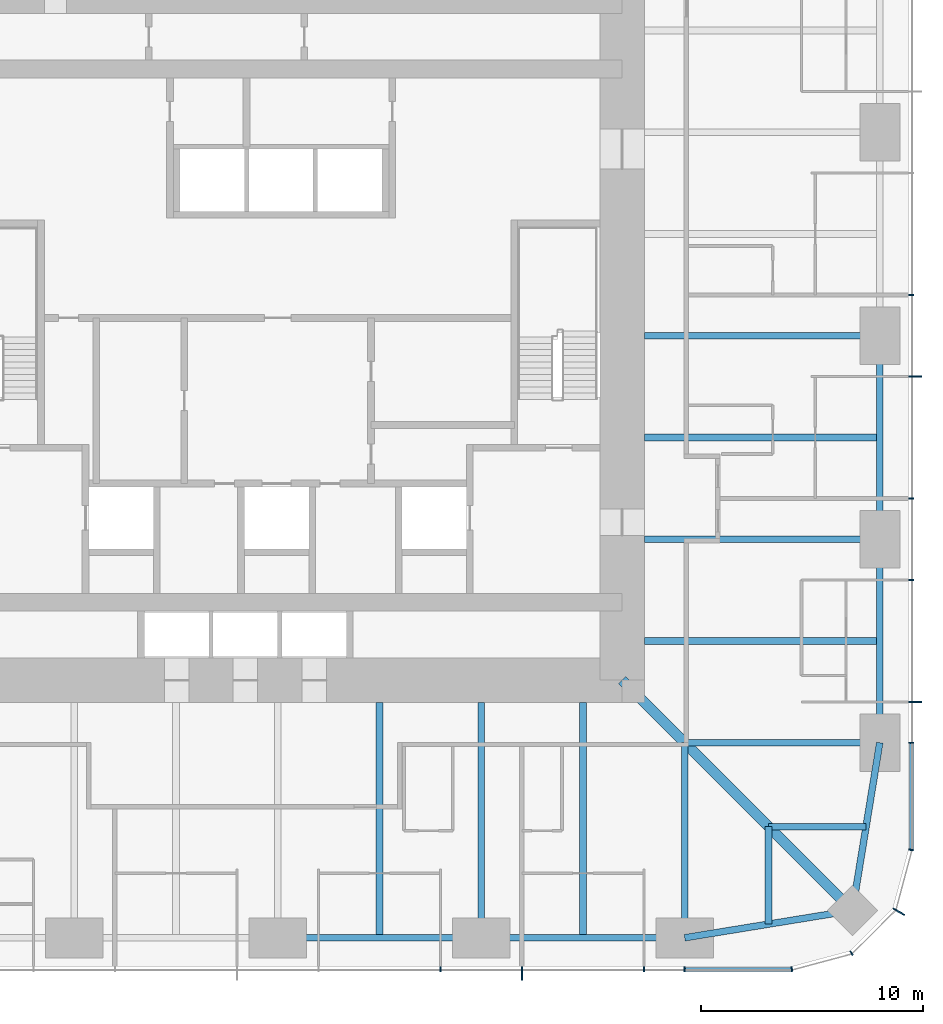
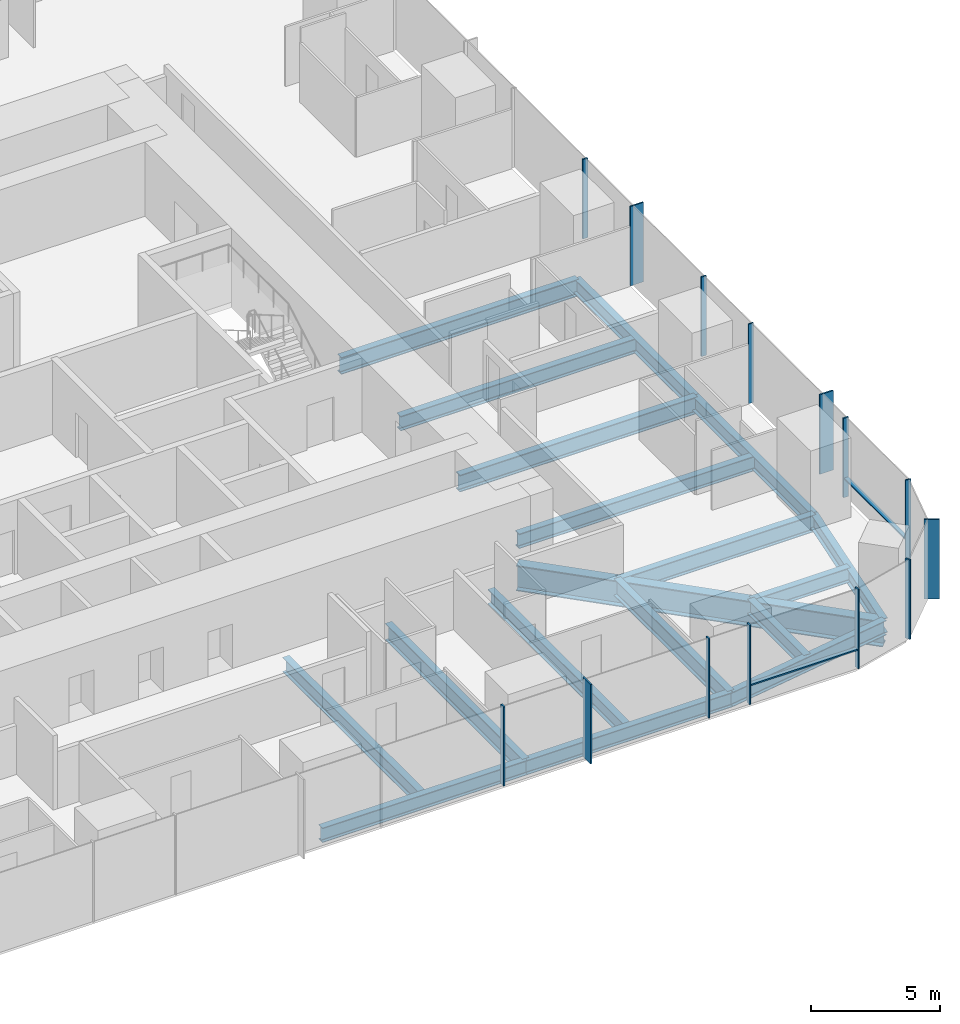
# One storey, part 4 of 13: 18 beams, 16 members, 3 elements without a shape of their own.
"""IFC4 building model written with IfcOpenShell, lengths in metres."""

from ifc_helpers import new_model, si_unit, direction, frame, origin, origin_2d, place, context, subcontext, project, spatial, rectangle, i_section, extrude, material, material_profile, profile_set, type_object, element, aggregate, save


model = new_model("IFC4")

# Units and contexts
model_context = context("Model", 3, precision=1e-05, world=origin(), true_north=direction((0.0, 1.0)))
body_context = subcontext(model_context, "Body", "Model", "MODEL_VIEW")
ifc_project = project(units=[si_unit("LENGTHUNIT", "METRE"), si_unit("AREAUNIT", "SQUARE_METRE"), si_unit("VOLUMEUNIT", "CUBIC_METRE"), si_unit("PLANEANGLEUNIT", "RADIAN"), si_unit("MASSUNIT", "GRAM", prefix="KILO")], contexts=[model_context])

# Site, building, storey
site_placement = place(None, origin())
site = spatial("IfcSite", under=ifc_project, at=site_placement, CompositionType="ELEMENT")
building_placement = place(site_placement, origin())
building = spatial("IfcBuilding", under=site, at=building_placement, Name="Khuree Lantern Residences", CompositionType="ELEMENT")
storey_placement = place(building_placement, frame((0.0, 0.0, 159.75)))
storey = spatial("IfcBuildingStorey", under=building, at=storey_placement, Name="L40", CompositionType="ELEMENT", Elevation=159.75)

# Beams
ifc_material_1 = material(Name="Steel S355", Category="steel")
ifc_material_profile_1 = material_profile(ifc_material_1, i_section(OverallWidth=0.300048828125, OverallDepth=0.68994140625, WebThickness=0.014404296875, FlangeThickness=0.027099609375, FilletRadius=0.027099609375, at=origin_2d()), Name="HE 700 A")
ifc_profile_set_1 = profile_set([ifc_material_profile_1], Name="Steel S355")
beam_type_1 = type_object("IfcBeamType", Name="B-24 SECONDARY BEAM HE 700 A", PredefinedType="BEAM", material=ifc_profile_set_1)
for number, where, z_axis, x_axis, name in (
    (1, (27.10009765625, -4.580078125, -0.594970703125), (-1.0, 0.0, 0.0), (0.0, -1.0, 0.0), "Secondary beam E4"),
    (2, (27.10009765625, -13.739990234375, -0.594970703125), (-1.0, 0.0, 0.0), (0.0, -1.0, 0.0), "Secondary beam E5"),
):
    element("IfcBeam", number, at=place(storey_placement, frame(where, z_axis=z_axis, x_axis=x_axis)), inside=storey, type_object=beam_type_1, Name=name, PredefinedType="BEAM", context=body_context, shape_type="SweptSolid", body=[
        extrude(i_section(OverallWidth=0.300048828125, OverallDepth=0.68994140625, WebThickness=0.014404296875, FlangeThickness=0.027099609375, FilletRadius=0.027099609375, at=origin_2d()), origin(), (0.0, 0.0, 1.0), 10.60009765625),
    ])
for number, where, z_axis, x_axis, name in (
    (3, (26.48486328125, -22.094970703125, -0.594970703125), (-1.0, 0.0, 0.0), (0.0, -1.0, 0.0), "Secondary beam E6"),
    (4, (22.094970703125, -26.48486328125, -0.594970703125), (0.0, 1.0, 0.0), (-1.0, 0.0, 0.0), "Secondary beam S1"),
):
    element("IfcBeam", number, at=place(storey_placement, frame(where, z_axis=z_axis, x_axis=x_axis)), inside=storey, type_object=beam_type_1, Name=name, PredefinedType="BEAM", context=body_context, shape_type="SweptSolid", body=[
        extrude(i_section(OverallWidth=0.300048828125, OverallDepth=0.68994140625, WebThickness=0.014404296875, FlangeThickness=0.027099609375, FilletRadius=0.027099609375, at=origin_2d()), origin(), (0.0, 0.0, 1.0), 4.389892578125),
    ])
for number, where, z_axis, x_axis, name in (
    (5, (13.739990234375, -27.10009765625, -0.594970703125), (0.0, 1.0, 0.0), (-1.0, 0.0, 0.0), "Secondary beam S2"),
    (6, (4.580078125, -27.10009765625, -0.594970703125), (0.0, 1.0, 0.0), (-1.0, 0.0, 0.0), "Secondary beam S3"),
):
    element("IfcBeam", number, at=place(storey_placement, frame(where, z_axis=z_axis, x_axis=x_axis)), inside=storey, type_object=beam_type_1, Name=name, PredefinedType="BEAM", context=body_context, shape_type="SweptSolid", body=[
        extrude(i_section(OverallWidth=0.300048828125, OverallDepth=0.68994140625, WebThickness=0.014404296875, FlangeThickness=0.027099609375, FilletRadius=0.027099609375, at=origin_2d()), origin(), (0.0, 0.0, 1.0), 10.60009765625),
    ])
ifc_material_profile_2 = material_profile(ifc_material_1, i_section(OverallWidth=0.300048828125, OverallDepth=0.68994140625, WebThickness=0.014404296875, FlangeThickness=0.027099609375, FilletRadius=0.027099609375, at=origin_2d()), Name="HE 700 A")
ifc_profile_set_2 = profile_set([ifc_material_profile_2], Name="Steel S355")
beam_type_2 = type_object("IfcBeamType", Name="E-24 SPANDREL BEAM HE 700 A", PredefinedType="SPANDREL", material=ifc_profile_set_2)
beam_1_placement = place(storey_placement, frame((27.10009765625, 0.0, -0.594970703125), z_axis=(0.0, -1.0, 0.0), x_axis=(1.0, 0.0, 0.0)))
element("IfcBeam", 7, at=beam_1_placement, inside=storey, type_object=beam_type_2, Name="Spandrel beam E4", PredefinedType="SPANDREL", context=body_context, shape_type="SweptSolid", body=[
    extrude(i_section(OverallWidth=0.300048828125, OverallDepth=0.68994140625, WebThickness=0.014404296875, FlangeThickness=0.027099609375, FilletRadius=0.027099609375, at=origin_2d()), origin(), (0.0, 0.0, 1.0), 9.159912109375),
])
beam_2_placement = place(storey_placement, frame((27.10009765625, -9.159912109375, -0.594970703125), z_axis=(0.0, -1.0, 0.0), x_axis=(1.0, 0.0, 0.0)))
element("IfcBeam", 8, at=beam_2_placement, inside=storey, type_object=beam_type_2, Name="Spandrel beam E5", PredefinedType="SPANDREL", context=body_context, shape_type="SweptSolid", body=[
    extrude(i_section(OverallWidth=0.300048828125, OverallDepth=0.68994140625, WebThickness=0.014404296875, FlangeThickness=0.027099609375, FilletRadius=0.027099609375, at=origin_2d()), origin(), (0.0, 0.0, 1.0), 9.16015625),
])
for number, where, z_axis, x_axis, name in (
    (9, (27.10009765625, -18.320068359375, -0.594970703125), (-0.160826723833, -0.986982656839, 0.0), (0.986982656839, -0.160826723833, 0.0), "Spandrel beam E6"),
    (10, (25.869873046875, -25.869873046875, -0.594970703125), (-0.986982656839, -0.160826723833, 0.0), (0.160826723833, -0.986982656839, 0.0), "Spandrel beam S1"),
):
    element("IfcBeam", number, at=place(storey_placement, frame(where, z_axis=z_axis, x_axis=x_axis)), inside=storey, type_object=beam_type_2, Name=name, PredefinedType="SPANDREL", context=body_context, shape_type="SweptSolid", body=[
        extrude(i_section(OverallWidth=0.300048828125, OverallDepth=0.68994140625, WebThickness=0.014404296875, FlangeThickness=0.027099609375, FilletRadius=0.027099609375, at=origin_2d()), origin(), (0.0, 0.0, 1.0), 7.6494140625),
    ])
beam_3_placement = place(storey_placement, frame((18.320068359375, -27.10009765625, -0.594970703125), z_axis=(-1.0, 0.0, 0.0), x_axis=(0.0, -1.0, 0.0)))
element("IfcBeam", 11, at=beam_3_placement, inside=storey, type_object=beam_type_2, Name="Spandrel beam S2", PredefinedType="SPANDREL", context=body_context, shape_type="SweptSolid", body=[
    extrude(i_section(OverallWidth=0.300048828125, OverallDepth=0.68994140625, WebThickness=0.014404296875, FlangeThickness=0.027099609375, FilletRadius=0.027099609375, at=origin_2d()), origin(), (0.0, 0.0, 1.0), 9.16015625),
])
beam_4_placement = place(storey_placement, frame((9.159912109375, -27.10009765625, -0.594970703125), z_axis=(-1.0, 0.0, 0.0), x_axis=(0.0, -1.0, 0.0)))
element("IfcBeam", 12, at=beam_4_placement, inside=storey, type_object=beam_type_2, Name="Spandrel beam S3", PredefinedType="SPANDREL", context=body_context, shape_type="SweptSolid", body=[
    extrude(i_section(OverallWidth=0.300048828125, OverallDepth=0.68994140625, WebThickness=0.014404296875, FlangeThickness=0.027099609375, FilletRadius=0.027099609375, at=origin_2d()), origin(), (0.0, 0.0, 1.0), 9.159912109375),
])

# Curtain wall, member
ifc_material_2 = material(Name="Bronze anodised aluminium", Category="aluminium")
curtain_wall_type_1 = type_object("IfcCurtainWallType", Name="CW-T2 TOWER CORNER CURTAIN WALL", PredefinedType="USERDEFINED", material=ifc_material_2)
curtain_wall_1_placement = place(storey_placement, origin())
curtain_wall_1 = element("IfcCurtainWall", 13, at=curtain_wall_1_placement, inside=storey, type_object=curtain_wall_type_1, Name="L40 SOUTH-EAST CORNER CURTAIN WALL", ObjectType="Faceted corner curtain wall", PredefinedType="USERDEFINED")
ifc_material_profile_3 = material_profile(ifc_material_2, rectangle(XDim=0.06494140625, YDim=0.60009765625, at=origin_2d()), Name="F1 65X600")
ifc_profile_set_3 = profile_set([ifc_material_profile_3], Name="Bronze anodised aluminium")
member_type_1 = type_object("IfcMemberType", Name="F1 BRONZE FIN MULLION TOWER 65X600", PredefinedType="MULLION", material=ifc_profile_set_3)
member_1_placement = place(storey_placement, frame((27.95654296875, -25.925048828125, 0.0), z_axis=(0.0, 0.0, 1.0), x_axis=(0.500000026995, 0.866025388199, 0.0)))
member_1 = element("IfcMember", 14, at=member_1_placement, type_object=member_type_1, Name="L40 SOUTH-EAST CORNER FIN MULLION 3", PredefinedType="MULLION", context=body_context, shape_type="SweptSolid", body=[
    extrude(rectangle(XDim=0.06494140625, YDim=0.60009765625, at=origin_2d()), origin(), (0.0, 0.0, 1.0), 3.75),
])

# Curtain wall, members
curtain_wall_type_2 = type_object("IfcCurtainWallType", Name="CW-T1 TOWER FACE CURTAIN WALL", PredefinedType="USERDEFINED", material=ifc_material_2)
curtain_wall_2_placement = place(storey_placement, origin())
curtain_wall_2 = element("IfcCurtainWall", 15, at=curtain_wall_2_placement, inside=storey, type_object=curtain_wall_type_2, Name="L40 EAST FACE CURTAIN WALL", ObjectType="Stick-built curtain wall", PredefinedType="USERDEFINED")
member_2_placement = place(storey_placement, frame((28.699951171875, -16.488037109375, 0.0), z_axis=(0.0, 0.0, 1.0), x_axis=(0.0, 1.0, 0.0)))
member_2 = element("IfcMember", 16, at=member_2_placement, type_object=member_type_1, Name="L40 EAST FACE FIN MULLION 6", PredefinedType="MULLION", context=body_context, shape_type="SweptSolid", body=[
    extrude(rectangle(XDim=0.06494140625, YDim=0.60009765625, at=origin_2d()), origin(), (0.0, 0.0, 1.0), 3.75),
])
member_3_placement = place(storey_placement, frame((28.699951171875, -1.83203125, 0.0), z_axis=(0.0, 0.0, 1.0), x_axis=(0.0, 1.0, 0.0)))
member_3 = element("IfcMember", 17, at=member_3_placement, type_object=member_type_1, Name="L40 EAST FACE FIN MULLION 9", PredefinedType="MULLION", context=body_context, shape_type="SweptSolid", body=[
    extrude(rectangle(XDim=0.06494140625, YDim=0.60009765625, at=origin_2d()), origin(), (0.0, 0.0, 1.0), 3.75),
])

# Curtain wall, member
curtain_wall_3_placement = place(storey_placement, origin())
curtain_wall_3 = element("IfcCurtainWall", 18, at=curtain_wall_3_placement, inside=storey, type_object=curtain_wall_type_2, Name="L40 SOUTH FACE CURTAIN WALL", ObjectType="Stick-built curtain wall", PredefinedType="USERDEFINED")
member_4_placement = place(storey_placement, frame((10.991943359375, -28.699951171875, 0.0), z_axis=(0.0, 0.0, 1.0), x_axis=(1.0, 0.0, 0.0)))
member_4 = element("IfcMember", 19, at=member_4_placement, type_object=member_type_1, Name="L40 SOUTH FACE FIN MULLION 54", PredefinedType="MULLION", context=body_context, shape_type="SweptSolid", body=[
    extrude(rectangle(XDim=0.06494140625, YDim=0.60009765625, at=origin_2d()), origin(), (0.0, 0.0, 1.0), 3.75),
])

# Beams
ifc_material_profile_4 = material_profile(ifc_material_1, i_section(OverallWidth=0.300048828125, OverallDepth=0.800048828125, WebThickness=0.017578125, FlangeThickness=0.032958984375, FilletRadius=0.030029296875, at=origin_2d()), Name="HE 800 B")
ifc_profile_set_4 = profile_set([ifc_material_profile_4], Name="Steel S355")
beam_type_3 = type_object("IfcBeamType", Name="G-24 GIRDER HE 800 B", PredefinedType="BEAM", material=ifc_profile_set_4)
for number, where, z_axis, x_axis, name in (
    (20, (27.10009765625, 0.0, -0.64990234375), (-1.0, 0.0, 0.0), (0.0, -1.0, 0.0), "Girder E3"),
    (21, (27.10009765625, -9.159912109375, -0.64990234375), (-1.0, 0.0, 0.0), (0.0, -1.0, 0.0), "Girder E4"),
):
    element("IfcBeam", number, at=place(storey_placement, frame(where, z_axis=z_axis, x_axis=x_axis)), inside=storey, type_object=beam_type_3, Name=name, PredefinedType="BEAM", context=body_context, shape_type="SweptSolid", body=[
        extrude(i_section(OverallWidth=0.300048828125, OverallDepth=0.800048828125, WebThickness=0.017578125, FlangeThickness=0.032958984375, FilletRadius=0.030029296875, at=origin_2d()), origin(), (0.0, 0.0, 1.0), 10.60009765625),
    ])
for number, where, z_axis, x_axis, name in (
    (22, (27.10009765625, -18.320068359375, -0.64990234375), (-1.0, 0.0, 0.0), (0.0, -1.0, 0.0), "Girder E5"),
    (23, (18.320068359375, -27.10009765625, -0.64990234375), (0.0, 1.0, 0.0), (-1.0, 0.0, 0.0), "Girder S1"),
):
    element("IfcBeam", number, at=place(storey_placement, frame(where, z_axis=z_axis, x_axis=x_axis)), inside=storey, type_object=beam_type_3, Name=name, PredefinedType="BEAM", context=body_context, shape_type="SweptSolid", body=[
        extrude(i_section(OverallWidth=0.300048828125, OverallDepth=0.800048828125, WebThickness=0.017578125, FlangeThickness=0.032958984375, FilletRadius=0.030029296875, at=origin_2d()), origin(), (0.0, 0.0, 1.0), 8.780029296875),
    ])
beam_5_placement = place(storey_placement, frame((9.159912109375, -27.10009765625, -0.64990234375), z_axis=(0.0, 1.0, 0.0), x_axis=(-1.0, 0.0, 0.0)))
element("IfcBeam", 24, at=beam_5_placement, inside=storey, type_object=beam_type_3, Name="Girder S2", PredefinedType="BEAM", context=body_context, shape_type="SweptSolid", body=[
    extrude(i_section(OverallWidth=0.300048828125, OverallDepth=0.800048828125, WebThickness=0.017578125, FlangeThickness=0.032958984375, FilletRadius=0.030029296875, at=origin_2d()), origin(), (0.0, 0.0, 1.0), 10.60009765625),
])
ifc_material_profile_5 = material_profile(ifc_material_1, i_section(OverallWidth=0.449951171875, OverallDepth=1.199951171875, WebThickness=0.02490234375, FlangeThickness=0.044921875, at=origin_2d()), Name="WELDED I 1200X450X25X45")
ifc_profile_set_5 = profile_set([ifc_material_profile_5], Name="Steel S355")
beam_type_4 = type_object("IfcBeamType", Name="GD-24 CORNER GIRDER WELDED I 1200X450X25X45", PredefinedType="BEAM", material=ifc_profile_set_5)
beam_6_placement = place(storey_placement, frame((25.869873046875, -25.869873046875, -0.85009765625), z_axis=(-0.707106781187, 0.707106781187, 0.0), x_axis=(-0.707106781187, -0.707106781187, 0.0)))
element("IfcBeam", 25, at=beam_6_placement, inside=storey, type_object=beam_type_4, Name="Corner girder SE", PredefinedType="BEAM", context=body_context, shape_type="SweptSolid", body=[
    extrude(i_section(OverallWidth=0.449951171875, OverallDepth=1.199951171875, WebThickness=0.02490234375, FlangeThickness=0.044921875, at=origin_2d()), origin(), (0.0, 0.0, 1.0), 14.665283203125),
])

# Member
ifc_material_profile_6 = material_profile(ifc_material_2, rectangle(XDim=0.06494140625, YDim=0.219970703125, at=origin_2d()), Name="M1 65X220")
ifc_profile_set_6 = profile_set([ifc_material_profile_6], Name="Bronze anodised aluminium")
member_type_2 = type_object("IfcMemberType", Name="M1 BRONZE MULLION TOWER 65X220", PredefinedType="MULLION", material=ifc_profile_set_6)
member_5_placement = place(storey_placement, frame((23.14501953125, -28.51171875, 0.0), z_axis=(0.0, 0.0, 1.0), x_axis=(0.991444857305, 0.130526223125, 0.0)))
member_5 = element("IfcMember", 26, at=member_5_placement, type_object=member_type_2, Name="L40 SOUTH-EAST CORNER MULLION 1", PredefinedType="MULLION", context=body_context, shape_type="SweptSolid", body=[
    extrude(rectangle(XDim=0.06494140625, YDim=0.219970703125, at=origin_2d()), origin(), (0.0, 0.0, 1.0), 3.75),
])

member_6_placement = place(storey_placement, frame((25.830078125, -27.7919921875, 0.0), z_axis=(0.0, 0.0, 1.0), x_axis=(0.866025388199, 0.500000026995, 0.0)))
member_6 = element("IfcMember", 27, at=member_6_placement, type_object=member_type_2, Name="L40 SOUTH-EAST CORNER MULLION 2", PredefinedType="MULLION", context=body_context, shape_type="SweptSolid", body=[
    extrude(rectangle(XDim=0.06494140625, YDim=0.219970703125, at=origin_2d()), origin(), (0.0, 0.0, 1.0), 3.75),
])

aggregate(curtain_wall_1, [member_5, member_6, member_1])

member_7_placement = place(storey_placement, frame((28.51171875, -23.14501953125, 0.0), z_axis=(0.0, 0.0, 1.0), x_axis=(0.130526223125, 0.991444857305, 0.0)))
member_7 = element("IfcMember", 28, at=member_7_placement, type_object=member_type_2, Name="L40 EAST FACE MULLION 4", PredefinedType="MULLION", context=body_context, shape_type="SweptSolid", body=[
    extrude(rectangle(XDim=0.06494140625, YDim=0.219970703125, at=origin_2d()), origin(), (0.0, 0.0, 1.0), 3.75),
])

member_8_placement = place(storey_placement, frame((28.510009765625, -18.320068359375, 0.0), z_axis=(0.0, 0.0, 1.0), x_axis=(0.0, 1.0, 0.0)))
member_8 = element("IfcMember", 29, at=member_8_placement, type_object=member_type_2, Name="L40 EAST FACE MULLION 5", PredefinedType="MULLION", context=body_context, shape_type="SweptSolid", body=[
    extrude(rectangle(XDim=0.06494140625, YDim=0.219970703125, at=origin_2d()), origin(), (0.0, 0.0, 1.0), 3.75),
])

member_9_placement = place(storey_placement, frame((28.510009765625, -10.991943359375, 0.0), z_axis=(0.0, 0.0, 1.0), x_axis=(0.0, 1.0, 0.0)))
member_9 = element("IfcMember", 30, at=member_9_placement, type_object=member_type_2, Name="L40 EAST FACE MULLION 7", PredefinedType="MULLION", context=body_context, shape_type="SweptSolid", body=[
    extrude(rectangle(XDim=0.06494140625, YDim=0.219970703125, at=origin_2d()), origin(), (0.0, 0.0, 1.0), 3.75),
])

member_10_placement = place(storey_placement, frame((28.510009765625, -7.327880859375, 0.0), z_axis=(0.0, 0.0, 1.0), x_axis=(0.0, 1.0, 0.0)))
member_10 = element("IfcMember", 31, at=member_10_placement, type_object=member_type_2, Name="L40 EAST FACE MULLION 8", PredefinedType="MULLION", context=body_context, shape_type="SweptSolid", body=[
    extrude(rectangle(XDim=0.06494140625, YDim=0.219970703125, at=origin_2d()), origin(), (0.0, 0.0, 1.0), 3.75),
])

member_11_placement = place(storey_placement, frame((28.510009765625, 1.83203125, 0.0), z_axis=(0.0, 0.0, 1.0), x_axis=(0.0, 1.0, 0.0)))
member_11 = element("IfcMember", 32, at=member_11_placement, type_object=member_type_2, Name="L40 EAST FACE MULLION 10", PredefinedType="MULLION", context=body_context, shape_type="SweptSolid", body=[
    extrude(rectangle(XDim=0.06494140625, YDim=0.219970703125, at=origin_2d()), origin(), (0.0, 0.0, 1.0), 3.75),
])

member_12_placement = place(storey_placement, frame((7.327880859375, -28.510009765625, 0.0), z_axis=(0.0, 0.0, 1.0), x_axis=(1.0, 0.0, 0.0)))
member_12 = element("IfcMember", 33, at=member_12_placement, type_object=member_type_2, Name="L40 SOUTH FACE MULLION 53", PredefinedType="MULLION", context=body_context, shape_type="SweptSolid", body=[
    extrude(rectangle(XDim=0.06494140625, YDim=0.219970703125, at=origin_2d()), origin(), (0.0, 0.0, 1.0), 3.75),
])

member_13_placement = place(storey_placement, frame((16.488037109375, -28.510009765625, 0.0), z_axis=(0.0, 0.0, 1.0), x_axis=(1.0, 0.0, 0.0)))
member_13 = element("IfcMember", 34, at=member_13_placement, type_object=member_type_2, Name="L40 SOUTH FACE MULLION 55", PredefinedType="MULLION", context=body_context, shape_type="SweptSolid", body=[
    extrude(rectangle(XDim=0.06494140625, YDim=0.219970703125, at=origin_2d()), origin(), (0.0, 0.0, 1.0), 3.75),
])

member_14_placement = place(storey_placement, frame((18.320068359375, -28.510009765625, 0.0), z_axis=(0.0, 0.0, 1.0), x_axis=(1.0, 0.0, 0.0)))
member_14 = element("IfcMember", 35, at=member_14_placement, type_object=member_type_2, Name="L40 SOUTH FACE MULLION 56", PredefinedType="MULLION", context=body_context, shape_type="SweptSolid", body=[
    extrude(rectangle(XDim=0.06494140625, YDim=0.219970703125, at=origin_2d()), origin(), (0.0, 0.0, 1.0), 3.75),
])

ifc_material_profile_7 = material_profile(ifc_material_2, rectangle(XDim=0.179931640625, YDim=0.06494140625, at=origin_2d()), Name="T1 180X65")
ifc_profile_set_7 = profile_set([ifc_material_profile_7], Name="Bronze anodised aluminium")
member_type_3 = type_object("IfcMemberType", Name="TRANSOM T1 TOWER 180X65", PredefinedType="USERDEFINED", material=ifc_profile_set_7)
member_15_placement = place(storey_placement, frame((28.52001953125, -23.101318359375, 0.89990234375), z_axis=(0.0, 1.0, 0.0), x_axis=(-1.0, 0.0, 0.0)))
member_15 = element("IfcMember", 36, at=member_15_placement, type_object=member_type_3, Name="L40 EAST FACE TRANSOM 4.1", ObjectType="Transom", PredefinedType="USERDEFINED", context=body_context, shape_type="SweptSolid", body=[
    extrude(rectangle(XDim=0.179931640625, YDim=0.06494140625, at=origin_2d()), origin(), (0.0, 0.0, 1.0), 4.748779296875),
])

aggregate(curtain_wall_2, [member_7, member_8, member_2, member_9, member_10, member_3, member_11, member_15])

member_16_placement = place(storey_placement, frame((18.3525390625, -28.52001953125, 0.89990234375), z_axis=(1.0, 0.0, 0.0), x_axis=(0.0, 1.0, 0.0)))
member_16 = element("IfcMember", 37, at=member_16_placement, type_object=member_type_3, Name="L40 SOUTH FACE TRANSOM 56.1", ObjectType="Transom", PredefinedType="USERDEFINED", context=body_context, shape_type="SweptSolid", body=[
    extrude(rectangle(XDim=0.179931640625, YDim=0.06494140625, at=origin_2d()), origin(), (0.0, 0.0, 1.0), 4.748779296875),
])

aggregate(curtain_wall_3, [member_12, member_4, member_13, member_14, member_16])

save(model, "model.ifc")
